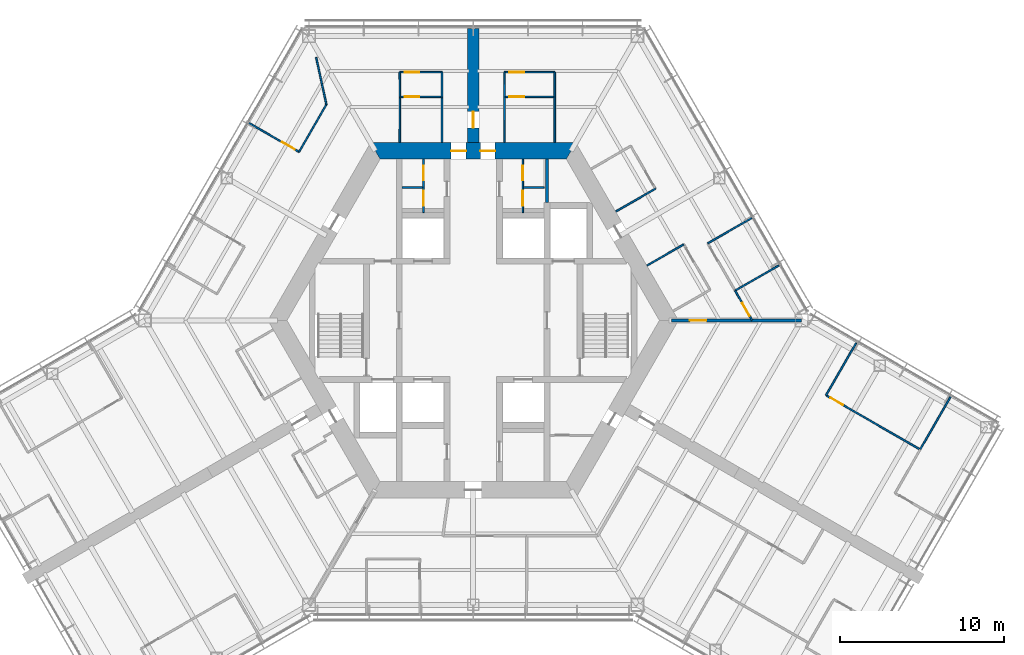
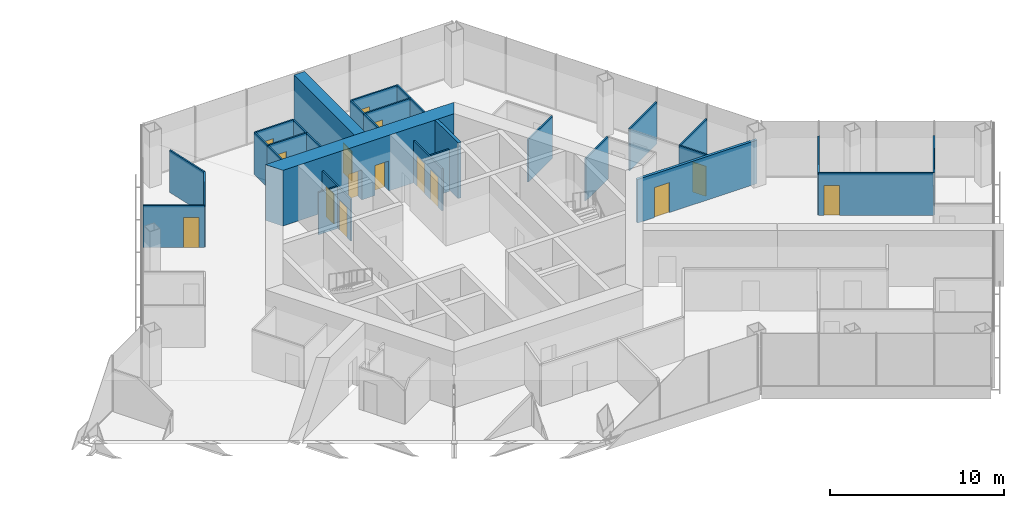
# One storey, part 14 of 18: 31 walls, 15 doors, 15 openings.
"""IFC4 building model written with IfcOpenShell, lengths in metres."""

from ifc_helpers import new_model, si_unit, direction, frame, frame_2d, origin, place, context, subcontext, project, spatial, polyline, rectangle, outline, extrude, material, layer, layer_set, type_object, element, fill, save


model = new_model("IFC4")

# Units and contexts
model_context = context("Model", 3, precision=1e-05, world=origin(), true_north=direction((0.0, 1.0)))
body_context = subcontext(model_context, "Body", "Model", "MODEL_VIEW")
ifc_project = project(units=[si_unit("LENGTHUNIT", "METRE"), si_unit("AREAUNIT", "SQUARE_METRE"), si_unit("VOLUMEUNIT", "CUBIC_METRE"), si_unit("PLANEANGLEUNIT", "RADIAN"), si_unit("MASSUNIT", "GRAM", prefix="KILO")], contexts=[model_context])

# Site, building, storey
site_placement = place(None, origin())
site = spatial("IfcSite", under=ifc_project, at=site_placement, CompositionType="ELEMENT")
building_placement = place(site_placement, origin())
building = spatial("IfcBuilding", under=site, at=building_placement, Name="Kasaneha Research Tower", CompositionType="ELEMENT")
storey_placement = place(building_placement, frame((0.0, 0.0, 172.10009765625)))
storey = spatial("IfcBuildingStorey", under=building, at=storey_placement, Name="L43", CompositionType="ELEMENT", Elevation=172.10009765625)

# Wall, openings, doors
ifc_material_1 = material(Name="Concrete Fc70", Category="concrete")
ifc_layer_1 = layer(ifc_material_1, 1.0)
ifc_layer_set_1 = layer_set([ifc_layer_1], Name="Core wall 1000 Fc70")
wall_type_1 = type_object("IfcWallType", Name="Core wall 1000 Fc70", PredefinedType="SHEAR", material=ifc_layer_set_1)
wall_1_placement = place(storey_placement, frame((5.961181640625, 10.324951171875, 0.0), z_axis=(0.0, 0.0, 1.0), x_axis=(-1.0, 0.0, 0.0)))
wall_1 = element("IfcWall", 1, at=wall_1_placement, inside=storey, type_object=wall_type_1, Name="Core wall 090 L43", PredefinedType="SHEAR", context=body_context, shape_type="SweptSolid", body=[
    extrude(outline(polyline([(-0.28857421875, -0.5), (4.62353515625, -0.5), (5.5234375, -0.5), (6.398681640625, -0.5), (7.298583984375, -0.5), (12.2109375, -0.5), (11.6337890625, 0.5), (7.298583984375, 0.5), (6.398681640625, 0.5), (5.5234375, 0.5), (4.62353515625, 0.5), (0.28857421875, 0.5), (-0.28857421875, -0.5)])), origin(), (0.0, 0.0, 1.0), 3.89990234375),
])
opening_1_placement = place(wall_1_placement, frame((6.398681640625, 0.0, 0.0)))
opening_1 = element("IfcOpeningElement", 2, at=opening_1_placement, cuts=wall_1, Name="Opening L43-D01", PredefinedType="OPENING", context=body_context, shape_type="SweptSolid", body=[
    extrude(rectangle(XDim=0.89990234375, YDim=2.10009765625, at=frame_2d((0.449951171875, 1.050048828125))), frame((0.0, 0.510009765625, 0.0), z_axis=(0.0, -1.0, 0.0), x_axis=(1.0, 0.0, 0.0)), (0.0, 0.0, 1.0), 1.02001953125),
])
opening_2_placement = place(wall_1_placement, frame((4.62353515625, 0.0, 0.0)))
opening_2 = element("IfcOpeningElement", 3, at=opening_2_placement, cuts=wall_1, Name="Opening L43-D02", PredefinedType="OPENING", context=body_context, shape_type="SweptSolid", body=[
    extrude(rectangle(XDim=0.89990234375, YDim=2.10009765625, at=frame_2d((0.449951171875, 1.050048828125))), frame((0.0, 0.510009765625, 0.0), z_axis=(0.0, -1.0, 0.0), x_axis=(1.0, 0.0, 0.0)), (0.0, 0.0, 1.0), 1.02001953125),
])
ifc_material_2 = material(Name="Steel", Category="steel")
door_type_1 = type_object("IfcDoorType", Name="Toilet door FD20 900x2100", OperationType="NOTDEFINED", PredefinedType="DOOR", material=ifc_material_2)
door_1_placement = place(opening_1_placement, origin())
door_1 = element("IfcDoor", 4, at=door_1_placement, inside=storey, type_object=door_type_1, Name="Core door north 1 L43-D01", OperationType="SINGLE_SWING_RIGHT", OverallHeight=2.10009765625, OverallWidth=0.89990234375, PredefinedType="DOOR", context=body_context, shape_type="SweptSolid", body=[
    extrude(rectangle(XDim=0.89990234375, YDim=2.10009765625, at=frame_2d((0.449951171875, 1.050048828125))), frame((0.0, 0.02490234375, 0.0), z_axis=(0.0, -1.0, 0.0), x_axis=(1.0, 0.0, 0.0)), (0.0, 0.0, 1.0), 0.050048828125),
])
fill(opening_1, door_1)
door_2_placement = place(opening_2_placement, origin())
door_2 = element("IfcDoor", 5, at=door_2_placement, inside=storey, type_object=door_type_1, Name="Core door north 2 L43-D02", OperationType="SINGLE_SWING_LEFT", OverallHeight=2.10009765625, OverallWidth=0.89990234375, PredefinedType="DOOR", context=body_context, shape_type="SweptSolid", body=[
    extrude(rectangle(XDim=0.89990234375, YDim=2.10009765625, at=frame_2d((0.449951171875, 1.050048828125))), frame((0.0, 0.02490234375, 0.0), z_axis=(0.0, -1.0, 0.0), x_axis=(1.0, 0.0, 0.0)), (0.0, 0.0, 1.0), 0.050048828125),
])
fill(opening_2, door_2)

ifc_material_3 = material(Name="Gypsum board on steel studs, one layer each side", Category="steel")
ifc_layer_2 = layer(ifc_material_3, 0.10009765625)
ifc_layer_set_2 = layer_set([ifc_layer_2], Name="Office partition 100")
wall_type_2 = type_object("IfcWallType", Name="Office partition 100", PredefinedType="PARTITIONING", material=ifc_layer_set_2)
wall_2_placement = place(storey_placement, frame((-3.02490234375, 6.574951171875, 0.0), z_axis=(0.0, 0.0, 1.0), x_axis=(0.0, 1.0, 0.0)))
wall_2 = element("IfcWall", 6, at=wall_2_placement, inside=storey, type_object=wall_type_2, Name="Office partition TBM1 L43", PredefinedType="PARTITIONING", context=body_context, shape_type="SweptSolid", body=[
    extrude(rectangle(XDim=3.25, YDim=0.10009765625, at=frame_2d((1.625, 0.0))), origin(), (0.0, 0.0, 1.0), 2.949951171875),
])
opening_3_placement = place(wall_2_placement, frame((1.96240234375, 0.0, 0.0)))
opening_3 = element("IfcOpeningElement", 7, at=opening_3_placement, cuts=wall_2, Name="Opening L43-D20", PredefinedType="OPENING", context=body_context, shape_type="SweptSolid", body=[
    extrude(rectangle(XDim=0.89990234375, YDim=2.10009765625, at=frame_2d((0.449951171875, 1.050048828125))), frame((0.0, 0.06005859375, 0.0), z_axis=(0.0, -1.0, 0.0), x_axis=(1.0, 0.0, 0.0)), (0.0, 0.0, 1.0), 0.1201171875),
])
opening_4_placement = place(wall_2_placement, frame((0.41259765625, 0.0, 0.0)))
opening_4 = element("IfcOpeningElement", 8, at=opening_4_placement, cuts=wall_2, Name="Opening L43-D21", PredefinedType="OPENING", context=body_context, shape_type="SweptSolid", body=[
    extrude(rectangle(XDim=0.89990234375, YDim=2.10009765625, at=frame_2d((0.449951171875, 1.050048828125))), frame((0.0, 0.06005859375, 0.0), z_axis=(0.0, -1.0, 0.0), x_axis=(1.0, 0.0, 0.0)), (0.0, 0.0, 1.0), 0.1201171875),
])
ifc_material_4 = material(Name="Steel", Category="steel")
door_type_2 = type_object("IfcDoorType", Name="Toilet lobby door FD30 900x2100", OperationType="NOTDEFINED", PredefinedType="DOOR", material=ifc_material_4)
door_3_placement = place(opening_3_placement, origin())
door_3 = element("IfcDoor", 9, at=door_3_placement, inside=storey, type_object=door_type_2, Name="Men's WC door L43-D20", OperationType="SINGLE_SWING_RIGHT", OverallHeight=2.10009765625, OverallWidth=0.89990234375, PredefinedType="DOOR", context=body_context, shape_type="SweptSolid", body=[
    extrude(rectangle(XDim=0.89990234375, YDim=2.10009765625, at=frame_2d((0.449951171875, 1.050048828125))), frame((0.0, 0.02490234375, 0.0), z_axis=(0.0, -1.0, 0.0), x_axis=(1.0, 0.0, 0.0)), (0.0, 0.0, 1.0), 0.050048828125),
])
fill(opening_3, door_3)
door_4_placement = place(opening_4_placement, origin())
door_4 = element("IfcDoor", 10, at=door_4_placement, inside=storey, type_object=door_type_2, Name="Staff WC door L43-D21", OperationType="SINGLE_SWING_RIGHT", OverallHeight=2.10009765625, OverallWidth=0.89990234375, PredefinedType="DOOR", context=body_context, shape_type="SweptSolid", body=[
    extrude(rectangle(XDim=0.89990234375, YDim=2.10009765625, at=frame_2d((0.449951171875, 1.050048828125))), frame((0.0, 0.02490234375, 0.0), z_axis=(0.0, -1.0, 0.0), x_axis=(1.0, 0.0, 0.0)), (0.0, 0.0, 1.0), 0.050048828125),
])
fill(opening_4, door_4)

# Wall
wall_3_placement = place(storey_placement, frame((-3.074951171875, 8.10009765625, 0.0), z_axis=(0.0, 0.0, 1.0), x_axis=(-1.0, 0.0, 0.0)))
element("IfcWall", 11, at=wall_3_placement, inside=storey, type_object=wall_type_2, Name="Office partition TBM2 L43", PredefinedType="PARTITIONING", context=body_context, shape_type="SweptSolid", body=[
    extrude(rectangle(XDim=1.25, YDim=0.10009765625, at=frame_2d((0.625, 0.0))), origin(), (0.0, 0.0, 1.0), 2.949951171875),
])

# Wall, openings, doors
wall_4_placement = place(storey_placement, frame((3.02490234375, 6.574951171875, 0.0), z_axis=(0.0, 0.0, 1.0), x_axis=(0.0, 1.0, 0.0)))
wall_4 = element("IfcWall", 12, at=wall_4_placement, inside=storey, type_object=wall_type_2, Name="Office partition TBF1 L43", PredefinedType="PARTITIONING", context=body_context, shape_type="SweptSolid", body=[
    extrude(rectangle(XDim=3.25, YDim=0.10009765625, at=frame_2d((1.625, 0.0))), origin(), (0.0, 0.0, 1.0), 2.949951171875),
])
opening_5_placement = place(wall_4_placement, frame((1.96240234375, 0.0, 0.0)))
opening_5 = element("IfcOpeningElement", 13, at=opening_5_placement, cuts=wall_4, Name="Opening L43-D22", PredefinedType="OPENING", context=body_context, shape_type="SweptSolid", body=[
    extrude(rectangle(XDim=0.89990234375, YDim=2.10009765625, at=frame_2d((0.449951171875, 1.050048828125))), frame((0.0, 0.06005859375, 0.0), z_axis=(0.0, -1.0, 0.0), x_axis=(1.0, 0.0, 0.0)), (0.0, 0.0, 1.0), 0.1201171875),
])
opening_6_placement = place(wall_4_placement, frame((0.41259765625, 0.0, 0.0)))
opening_6 = element("IfcOpeningElement", 14, at=opening_6_placement, cuts=wall_4, Name="Opening L43-D23", PredefinedType="OPENING", context=body_context, shape_type="SweptSolid", body=[
    extrude(rectangle(XDim=0.89990234375, YDim=2.10009765625, at=frame_2d((0.449951171875, 1.050048828125))), frame((0.0, 0.06005859375, 0.0), z_axis=(0.0, -1.0, 0.0), x_axis=(1.0, 0.0, 0.0)), (0.0, 0.0, 1.0), 0.1201171875),
])
door_5_placement = place(opening_5_placement, origin())
door_5 = element("IfcDoor", 15, at=door_5_placement, inside=storey, type_object=door_type_2, Name="Women's WC door L43-D22", OperationType="SINGLE_SWING_RIGHT", OverallHeight=2.10009765625, OverallWidth=0.89990234375, PredefinedType="DOOR", context=body_context, shape_type="SweptSolid", body=[
    extrude(rectangle(XDim=0.89990234375, YDim=2.10009765625, at=frame_2d((0.449951171875, 1.050048828125))), frame((0.0, 0.02490234375, 0.0), z_axis=(0.0, -1.0, 0.0), x_axis=(1.0, 0.0, 0.0)), (0.0, 0.0, 1.0), 0.050048828125),
])
fill(opening_5, door_5)
door_6_placement = place(opening_6_placement, origin())
door_6 = element("IfcDoor", 16, at=door_6_placement, inside=storey, type_object=door_type_2, Name="Cleaner's store door L43-D23", OperationType="SINGLE_SWING_RIGHT", OverallHeight=2.10009765625, OverallWidth=0.89990234375, PredefinedType="DOOR", context=body_context, shape_type="SweptSolid", body=[
    extrude(rectangle(XDim=0.89990234375, YDim=2.10009765625, at=frame_2d((0.449951171875, 1.050048828125))), frame((0.0, 0.02490234375, 0.0), z_axis=(0.0, -1.0, 0.0), x_axis=(1.0, 0.0, 0.0)), (0.0, 0.0, 1.0), 0.050048828125),
])
fill(opening_6, door_6)

# Wall
wall_5_placement = place(storey_placement, frame((3.074951171875, 8.10009765625, 0.0), z_axis=(0.0, 0.0, 1.0), x_axis=(1.0, 0.0, 0.0)))
element("IfcWall", 17, at=wall_5_placement, inside=storey, type_object=wall_type_2, Name="Office partition TBF2 L43", PredefinedType="PARTITIONING", context=body_context, shape_type="SweptSolid", body=[
    extrude(rectangle(XDim=1.25, YDim=0.10009765625, at=frame_2d((0.625, 0.0))), origin(), (0.0, 0.0, 1.0), 2.949951171875),
])

# Wall, opening, door
wall_6_placement = place(storey_placement, frame((1.89990234375, 13.6201171875, 0.0), z_axis=(0.0, 0.0, 1.0), x_axis=(1.0, 0.0, 0.0)))
wall_6 = element("IfcWall", 18, at=wall_6_placement, inside=storey, type_object=wall_type_2, Name="Office partition FAE01 L43", PredefinedType="PARTITIONING", context=body_context, shape_type="SweptSolid", body=[
    extrude(rectangle(XDim=3.071044921875, YDim=0.10009765625, at=frame_2d((1.53564453125, 0.0))), origin(), (0.0, 0.0, 1.0), 2.949951171875),
])
opening_7_placement = place(wall_6_placement, frame((0.300048828125, 0.0, 0.0)))
opening_7 = element("IfcOpeningElement", 19, at=opening_7_placement, cuts=wall_6, Name="Opening L43-D27", PredefinedType="OPENING", context=body_context, shape_type="SweptSolid", body=[
    extrude(rectangle(XDim=0.89990234375, YDim=2.10009765625, at=frame_2d((0.449951171875, 1.050048828125))), frame((0.0, 0.06005859375, 0.0), z_axis=(0.0, -1.0, 0.0), x_axis=(1.0, 0.0, 0.0)), (0.0, 0.0, 1.0), 0.1201171875),
])
door_7_placement = place(opening_7_placement, origin())
door_7 = element("IfcDoor", 20, at=door_7_placement, inside=storey, type_object=door_type_2, Name="Women's WC door L43-D27", OperationType="SINGLE_SWING_LEFT", OverallHeight=2.10009765625, OverallWidth=0.89990234375, PredefinedType="DOOR", context=body_context, shape_type="SweptSolid", body=[
    extrude(rectangle(XDim=0.89990234375, YDim=2.10009765625, at=frame_2d((0.449951171875, 1.050048828125))), frame((0.0, 0.02490234375, 0.0), z_axis=(0.0, -1.0, 0.0), x_axis=(1.0, 0.0, 0.0)), (0.0, 0.0, 1.0), 0.050048828125),
])
fill(opening_7, door_7)

# Walls
for number, where, z_axis, x_axis, name in (
    (21, (1.89990234375, 10.844970703125, 0.0), (0.0, 0.0, 1.0), (0.001668567099, 0.999998607941, 0.0), "Office partition FAE02 L43"),
    (22, (4.96630859375, 13.625, 0.0), (0.0, 0.0, 1.0), (0.001668567099, -0.999998607941, 0.0), "Office partition FAE03 L43"),
):
    element("IfcWall", number, at=place(storey_placement, frame(where, z_axis=z_axis, x_axis=x_axis)), inside=storey, type_object=wall_type_2, Name=name, PredefinedType="PARTITIONING", context=body_context, shape_type="SweptSolid", body=[
        extrude(rectangle(XDim=2.780029296875, YDim=0.10009765625, at=frame_2d((1.39013671875, 0.0))), origin(), (0.0, 0.0, 1.0), 2.949951171875),
    ])

# Wall, opening, door
wall_7_placement = place(storey_placement, frame((1.89990234375, 15.125, 0.0), z_axis=(0.0, 0.0, 1.0), x_axis=(1.0, 0.0, 0.0)))
wall_7 = element("IfcWall", 23, at=wall_7_placement, inside=storey, type_object=wall_type_2, Name="Office partition FAE04 L43", PredefinedType="PARTITIONING", context=body_context, shape_type="SweptSolid", body=[
    extrude(rectangle(XDim=3.071044921875, YDim=0.10009765625, at=frame_2d((1.53564453125, 0.0))), origin(), (0.0, 0.0, 1.0), 2.949951171875),
])
opening_8_placement = place(wall_7_placement, frame((0.300048828125, 0.0, 0.0)))
opening_8 = element("IfcOpeningElement", 24, at=opening_8_placement, cuts=wall_7, Name="Opening L43-D28", PredefinedType="OPENING", context=body_context, shape_type="SweptSolid", body=[
    extrude(rectangle(XDim=0.89990234375, YDim=2.10009765625, at=frame_2d((0.449951171875, 1.050048828125))), frame((0.0, 0.06005859375, 0.0), z_axis=(0.0, -1.0, 0.0), x_axis=(1.0, 0.0, 0.0)), (0.0, 0.0, 1.0), 0.1201171875),
])
door_8_placement = place(opening_8_placement, origin())
door_8 = element("IfcDoor", 25, at=door_8_placement, inside=storey, type_object=door_type_2, Name="Toilet lobby door L43-D28", OperationType="SINGLE_SWING_LEFT", OverallHeight=2.10009765625, OverallWidth=0.89990234375, PredefinedType="DOOR", context=body_context, shape_type="SweptSolid", body=[
    extrude(rectangle(XDim=0.89990234375, YDim=2.10009765625, at=frame_2d((0.449951171875, 1.050048828125))), frame((0.0, 0.02490234375, 0.0), z_axis=(0.0, -1.0, 0.0), x_axis=(1.0, 0.0, 0.0)), (0.0, 0.0, 1.0), 0.050048828125),
])
fill(opening_8, door_8)

# Walls
for number, where, z_axis, x_axis, name in (
    (26, (1.904541015625, 13.625, 0.0), (0.0, 0.0, 1.0), (-0.00309243313, 0.999995218417, 0.0), "Office partition FAE05 L43"),
    (27, (4.970947265625, 15.125, 0.0), (0.0, 0.0, 1.0), (-0.00309243313, -0.999995218417, 0.0), "Office partition FAE06 L43"),
):
    element("IfcWall", number, at=place(storey_placement, frame(where, z_axis=z_axis, x_axis=x_axis)), inside=storey, type_object=wall_type_2, Name=name, PredefinedType="PARTITIONING", context=body_context, shape_type="SweptSolid", body=[
        extrude(rectangle(XDim=1.5, YDim=0.10009765625, at=frame_2d((0.75, 0.0))), origin(), (0.0, 0.0, 1.0), 2.949951171875),
    ])
wall_8_placement = place(storey_placement, frame((11.099609375, 8.02490234375, 0.0), z_axis=(0.0, 0.0, 1.0), x_axis=(-0.866056901187, -0.49994544093, 0.0)))
element("IfcWall", 28, at=wall_8_placement, inside=storey, type_object=wall_type_2, Name="Office partition FAE09 L43", PredefinedType="PARTITIONING", context=body_context, shape_type="SweptSolid", body=[
    extrude(rectangle(XDim=2.780029296875, YDim=0.10009765625, at=frame_2d((1.39013671875, 0.0))), origin(), (0.0, 0.0, 1.0), 2.949951171875),
])
wall_9_placement = place(storey_placement, frame((10.592041015625, 3.343994140625, 0.0), z_axis=(0.0, 0.0, 1.0), x_axis=(0.866021702275, 0.500006411147, 0.0)))
element("IfcWall", 29, at=wall_9_placement, inside=storey, type_object=wall_type_2, Name="Office partition FAE10 L43", PredefinedType="PARTITIONING", context=body_context, shape_type="SweptSolid", body=[
    extrude(rectangle(XDim=2.580078125, YDim=0.10009765625, at=frame_2d((1.2900390625, 0.0))), origin(), (0.0, 0.0, 1.0), 2.949951171875),
])
wall_10_placement = place(storey_placement, frame((18.619873046875, 3.3505859375, 0.0), z_axis=(0.0, 0.0, 1.0), x_axis=(-0.866810383216, -0.498637904244, 0.0)))
element("IfcWall", 30, at=wall_10_placement, inside=storey, type_object=wall_type_2, Name="Office partition FAE13 L43", PredefinedType="PARTITIONING", context=body_context, shape_type="SweptSolid", body=[
    extrude(rectangle(XDim=3.080078125, YDim=0.10009765625, at=frame_2d((1.5400390625, 0.0))), origin(), (0.0, 0.0, 1.0), 2.949951171875),
])
wall_11_placement = place(storey_placement, frame((14.287109375, 4.6953125, 0.0), z_axis=(0.0, 0.0, 1.0), x_axis=(0.866023220135, 0.500003782172, 0.0)))
element("IfcWall", 31, at=wall_11_placement, inside=storey, type_object=wall_type_2, Name="Office partition FAE14 L43", PredefinedType="PARTITIONING", context=body_context, shape_type="SweptSolid", body=[
    extrude(rectangle(XDim=3.10498046875, YDim=0.10009765625, at=frame_2d((1.552490234375, 0.0))), origin(), (0.0, 0.0, 1.0), 2.949951171875),
])

# Wall, opening, door
wall_12_placement = place(storey_placement, frame((16.986083984375, 0.02001953125, 0.0), z_axis=(0.0, 0.0, 1.0), x_axis=(-0.498096123952, 0.867121820337, 0.0)))
wall_12 = element("IfcWall", 32, at=wall_12_placement, inside=storey, type_object=wall_type_2, Name="Office partition FAE16 L43", PredefinedType="PARTITIONING", context=body_context, shape_type="SweptSolid", body=[
    extrude(rectangle(XDim=2.0673828125, YDim=0.10009765625, at=frame_2d((1.03369140625, 0.0))), origin(), (0.0, 0.0, 1.0), 2.949951171875),
])
opening_9_placement = place(wall_12_placement, frame((0.300048828125, 0.0, 0.0)))
opening_9 = element("IfcOpeningElement", 33, at=opening_9_placement, cuts=wall_12, Name="Opening L43-D32", PredefinedType="OPENING", context=body_context, shape_type="SweptSolid", body=[
    extrude(rectangle(XDim=0.89990234375, YDim=2.10009765625, at=frame_2d((0.449951171875, 1.050048828125))), frame((0.0, 0.06005859375, 0.0), z_axis=(0.0, -1.0, 0.0), x_axis=(1.0, 0.0, 0.0)), (0.0, 0.0, 1.0), 0.1201171875),
])
ifc_material_5 = material(Name="Timber veneer", Category="wood")
door_type_3 = type_object("IfcDoorType", Name="Office door 900x2100", OperationType="SINGLE_SWING_LEFT", PredefinedType="DOOR", material=ifc_material_5)
door_9_placement = place(opening_9_placement, origin())
door_9 = element("IfcDoor", 34, at=door_9_placement, inside=storey, type_object=door_type_3, Name="Phone room door L43-D32", OperationType="SINGLE_SWING_LEFT", OverallHeight=2.10009765625, OverallWidth=0.89990234375, PredefinedType="DOOR", context=body_context, shape_type="SweptSolid", body=[
    extrude(rectangle(XDim=0.89990234375, YDim=2.10009765625, at=frame_2d((0.449951171875, 1.050048828125))), frame((0.0, 0.02490234375, 0.0), z_axis=(0.0, -1.0, 0.0), x_axis=(1.0, 0.0, 0.0)), (0.0, 0.0, 1.0), 0.050048828125),
])
fill(opening_9, door_9)

wall_13_placement = place(storey_placement, frame((-4.470947265625, 13.6201171875, 0.0), z_axis=(0.0, 0.0, 1.0), x_axis=(1.0, 0.0, 0.0)))
wall_13 = element("IfcWall", 35, at=wall_13_placement, inside=storey, type_object=wall_type_2, Name="Office partition FAW01 L43", PredefinedType="PARTITIONING", context=body_context, shape_type="SweptSolid", body=[
    extrude(rectangle(XDim=2.571044921875, YDim=0.10009765625, at=frame_2d((1.28564453125, 0.0))), origin(), (0.0, 0.0, 1.0), 2.949951171875),
])
opening_10_placement = place(wall_13_placement, frame((0.300048828125, 0.0, 0.0)))
opening_10 = element("IfcOpeningElement", 36, at=opening_10_placement, cuts=wall_13, Name="Opening L43-D33", PredefinedType="OPENING", context=body_context, shape_type="SweptSolid", body=[
    extrude(rectangle(XDim=0.89990234375, YDim=2.10009765625, at=frame_2d((0.449951171875, 1.050048828125))), frame((0.0, 0.06005859375, 0.0), z_axis=(0.0, -1.0, 0.0), x_axis=(1.0, 0.0, 0.0)), (0.0, 0.0, 1.0), 0.1201171875),
])
door_10_placement = place(opening_10_placement, origin())
door_10 = element("IfcDoor", 37, at=door_10_placement, inside=storey, type_object=door_type_2, Name="Men's WC door L43-D33", OperationType="SINGLE_SWING_LEFT", OverallHeight=2.10009765625, OverallWidth=0.89990234375, PredefinedType="DOOR", context=body_context, shape_type="SweptSolid", body=[
    extrude(rectangle(XDim=0.89990234375, YDim=2.10009765625, at=frame_2d((0.449951171875, 1.050048828125))), frame((0.0, 0.02490234375, 0.0), z_axis=(0.0, -1.0, 0.0), x_axis=(1.0, 0.0, 0.0)), (0.0, 0.0, 1.0), 0.050048828125),
])
fill(opening_10, door_10)

# Walls
for number, where, z_axis, x_axis, name in (
    (38, (-4.470947265625, 10.844970703125, 0.0), (0.0, 0.0, 1.0), (0.001668567099, 0.999998607941, 0.0), "Office partition FAW02 L43"),
    (39, (-1.90478515625, 13.625, 0.0), (0.0, 0.0, 1.0), (0.001756386155, -0.999998457553, 0.0), "Office partition FAW03 L43"),
):
    element("IfcWall", number, at=place(storey_placement, frame(where, z_axis=z_axis, x_axis=x_axis)), inside=storey, type_object=wall_type_2, Name=name, PredefinedType="PARTITIONING", context=body_context, shape_type="SweptSolid", body=[
        extrude(rectangle(XDim=2.780029296875, YDim=0.10009765625, at=frame_2d((1.39013671875, 0.0))), origin(), (0.0, 0.0, 1.0), 2.949951171875),
    ])

# Wall, opening, door
wall_14_placement = place(storey_placement, frame((-4.470947265625, 15.125, 0.0), z_axis=(0.0, 0.0, 1.0), x_axis=(1.0, 0.0, 0.0)))
wall_14 = element("IfcWall", 40, at=wall_14_placement, inside=storey, type_object=wall_type_2, Name="Office partition FAW04 L43", PredefinedType="PARTITIONING", context=body_context, shape_type="SweptSolid", body=[
    extrude(rectangle(XDim=2.571044921875, YDim=0.10009765625, at=frame_2d((1.28564453125, 0.0))), origin(), (0.0, 0.0, 1.0), 2.949951171875),
])
opening_11_placement = place(wall_14_placement, frame((0.300048828125, 0.0, 0.0)))
opening_11 = element("IfcOpeningElement", 41, at=opening_11_placement, cuts=wall_14, Name="Opening L43-D34", PredefinedType="OPENING", context=body_context, shape_type="SweptSolid", body=[
    extrude(rectangle(XDim=0.89990234375, YDim=2.10009765625, at=frame_2d((0.449951171875, 1.050048828125))), frame((0.0, 0.06005859375, 0.0), z_axis=(0.0, -1.0, 0.0), x_axis=(1.0, 0.0, 0.0)), (0.0, 0.0, 1.0), 0.1201171875),
])
door_11_placement = place(opening_11_placement, origin())
door_11 = element("IfcDoor", 42, at=door_11_placement, inside=storey, type_object=door_type_2, Name="Toilet lobby door L43-D34", OperationType="SINGLE_SWING_LEFT", OverallHeight=2.10009765625, OverallWidth=0.89990234375, PredefinedType="DOOR", context=body_context, shape_type="SweptSolid", body=[
    extrude(rectangle(XDim=0.89990234375, YDim=2.10009765625, at=frame_2d((0.449951171875, 1.050048828125))), frame((0.0, 0.02490234375, 0.0), z_axis=(0.0, -1.0, 0.0), x_axis=(1.0, 0.0, 0.0)), (0.0, 0.0, 1.0), 0.050048828125),
])
fill(opening_11, door_11)

# Walls
for number, where, z_axis, x_axis, name in (
    (43, (-4.46630859375, 13.625, 0.0), (0.0, 0.0, 1.0), (-0.00309243313, 0.999995218417, 0.0), "Office partition FAW05 L43"),
    (44, (-1.89990234375, 15.125, 0.0), (0.0, 0.0, 1.0), (-0.003255191087, -0.999994701851, 0.0), "Office partition FAW06 L43"),
):
    element("IfcWall", number, at=place(storey_placement, frame(where, z_axis=z_axis, x_axis=x_axis)), inside=storey, type_object=wall_type_2, Name=name, PredefinedType="PARTITIONING", context=body_context, shape_type="SweptSolid", body=[
        extrude(rectangle(XDim=1.5, YDim=0.10009765625, at=frame_2d((0.75, 0.0))), origin(), (0.0, 0.0, 1.0), 2.949951171875),
    ])

# Wall, opening, door
wall_15_placement = place(storey_placement, frame((-10.609619140625, 10.264404296875, 0.0), z_axis=(0.0, 0.0, 1.0), x_axis=(-0.86601282795, 0.500021781351, 0.0)))
wall_15 = element("IfcWall", 45, at=wall_15_placement, inside=storey, type_object=wall_type_2, Name="Office partition FBN01 L43", PredefinedType="PARTITIONING", context=body_context, shape_type="SweptSolid", body=[
    extrude(rectangle(XDim=3.530029296875, YDim=0.10009765625, at=frame_2d((1.76513671875, 0.0))), origin(), (0.0, 0.0, 1.0), 2.949951171875),
])
opening_12_placement = place(wall_15_placement, frame((0.300048828125, 0.0, 0.0)))
opening_12 = element("IfcOpeningElement", 46, at=opening_12_placement, cuts=wall_15, Name="Opening L43-D35", PredefinedType="OPENING", context=body_context, shape_type="SweptSolid", body=[
    extrude(rectangle(XDim=0.89990234375, YDim=2.10009765625, at=frame_2d((0.449951171875, 1.050048828125))), frame((0.0, 0.06005859375, 0.0), z_axis=(0.0, -1.0, 0.0), x_axis=(1.0, 0.0, 0.0)), (0.0, 0.0, 1.0), 0.1201171875),
])
door_12_placement = place(opening_12_placement, origin())
door_12 = element("IfcDoor", 47, at=door_12_placement, inside=storey, type_object=door_type_3, Name="Reception room door L43-D35", OperationType="SINGLE_SWING_LEFT", OverallHeight=2.10009765625, OverallWidth=0.89990234375, PredefinedType="DOOR", context=body_context, shape_type="SweptSolid", body=[
    extrude(rectangle(XDim=0.89990234375, YDim=2.10009765625, at=frame_2d((0.449951171875, 1.050048828125))), frame((0.0, 0.02490234375, 0.0), z_axis=(0.0, -1.0, 0.0), x_axis=(1.0, 0.0, 0.0)), (0.0, 0.0, 1.0), 0.050048828125),
])
fill(opening_12, door_12)

# Walls
wall_16_placement = place(storey_placement, frame((-9.56396484375, 16.02392578125, 0.0), z_axis=(0.0, 0.0, 1.0), x_axis=(0.211116290139, -0.977460951669, 0.0)))
element("IfcWall", 48, at=wall_16_placement, inside=storey, type_object=wall_type_2, Name="Office partition FBN02 L43", PredefinedType="PARTITIONING", context=body_context, shape_type="SweptSolid", body=[
    extrude(rectangle(XDim=2.940673828125, YDim=0.10009765625, at=frame_2d((1.47021484375, 0.0))), origin(), (0.0, 0.0, 1.0), 2.949951171875),
])
wall_17_placement = place(storey_placement, frame((-8.943115234375, 13.1494140625, 0.0), z_axis=(0.0, 0.0, 1.0), x_axis=(-0.500189695295, -0.86591585545, 0.0)))
element("IfcWall", 49, at=wall_17_placement, inside=storey, type_object=wall_type_2, Name="Office partition FBN03 L43", PredefinedType="PARTITIONING", context=body_context, shape_type="SweptSolid", body=[
    extrude(rectangle(XDim=3.331787109375, YDim=0.10009765625, at=frame_2d((1.666015625, 0.0))), origin(), (0.0, 0.0, 1.0), 2.949951171875),
])
wall_18_placement = place(storey_placement, frame((29.077392578125, -4.65771484375, 0.0), z_axis=(0.0, 0.0, 1.0), x_axis=(-0.501275229052, -0.865287897026, 0.0)))
element("IfcWall", 50, at=wall_18_placement, inside=storey, type_object=wall_type_2, Name="Office partition FCE01 L43", PredefinedType="PARTITIONING", context=body_context, shape_type="SweptSolid", body=[
    extrude(rectangle(XDim=3.704833984375, YDim=0.10009765625, at=frame_2d((1.8525390625, 0.0))), origin(), (0.0, 0.0, 1.0), 2.949951171875),
])
wall_19_placement = place(storey_placement, frame((21.4921875, -4.556640625, 0.0), z_axis=(0.0, 0.0, 1.0), x_axis=(0.500013413428, 0.866017659399, 0.0)))
element("IfcWall", 51, at=wall_19_placement, inside=storey, type_object=wall_type_2, Name="Office partition FCE02 L43", PredefinedType="PARTITIONING", context=body_context, shape_type="SweptSolid", body=[
    extrude(rectangle(XDim=3.68017578125, YDim=0.10009765625, at=frame_2d((1.840087890625, 0.0))), origin(), (0.0, 0.0, 1.0), 2.949951171875),
])

# Wall, opening, door
wall_20_placement = place(storey_placement, frame((27.22705078125, -7.86279296875, 0.0), z_axis=(0.0, 0.0, 1.0), x_axis=(-0.866343956507, 0.499447844147, 0.0)))
wall_20 = element("IfcWall", 52, at=wall_20_placement, inside=storey, type_object=wall_type_2, Name="Office partition FCE03 L43", PredefinedType="PARTITIONING", context=body_context, shape_type="SweptSolid", body=[
    extrude(rectangle(XDim=6.61962890625, YDim=0.10009765625, at=frame_2d((3.309814453125, 0.0))), origin(), (0.0, 0.0, 1.0), 2.949951171875),
])
opening_13_placement = place(wall_20_placement, frame((5.419677734375, 0.0, 0.0)))
opening_13 = element("IfcOpeningElement", 53, at=opening_13_placement, cuts=wall_20, Name="Opening L43-D42", PredefinedType="OPENING", context=body_context, shape_type="SweptSolid", body=[
    extrude(rectangle(XDim=0.89990234375, YDim=2.10009765625, at=frame_2d((0.449951171875, 1.050048828125))), frame((0.0, 0.06005859375, 0.0), z_axis=(0.0, -1.0, 0.0), x_axis=(1.0, 0.0, 0.0)), (0.0, 0.0, 1.0), 0.1201171875),
])
door_13_placement = place(opening_13_placement, origin())
door_13 = element("IfcDoor", 54, at=door_13_placement, inside=storey, type_object=door_type_3, Name="Project room door L43-D42", OperationType="SINGLE_SWING_RIGHT", OverallHeight=2.10009765625, OverallWidth=0.89990234375, PredefinedType="DOOR", context=body_context, shape_type="SweptSolid", body=[
    extrude(rectangle(XDim=0.89990234375, YDim=2.10009765625, at=frame_2d((0.449951171875, 1.050048828125))), frame((0.0, 0.02490234375, 0.0), z_axis=(0.0, -1.0, 0.0), x_axis=(1.0, 0.0, 0.0)), (0.0, 0.0, 1.0), 0.050048828125),
])
fill(opening_13, door_13)

# Wall
ifc_material_6 = material(Name="Concrete block", Category="concrete")
ifc_layer_3 = layer(ifc_material_6, 0.199951171875)
ifc_layer_set_3 = layer_set([ifc_layer_3], Name="Riser enclosure wall 200")
wall_type_3 = type_object("IfcWallType", Name="Riser enclosure wall 200", PredefinedType="STANDARD", material=ifc_layer_set_3)
wall_21_placement = place(storey_placement, frame((4.5, 7.175048828125, 0.0), z_axis=(0.0, 0.0, 1.0), x_axis=(0.0, 1.0, 0.0)))
element("IfcWall", 55, at=wall_21_placement, inside=storey, type_object=wall_type_3, Name="Riser enclosure wall L43", PredefinedType="STANDARD", context=body_context, shape_type="SweptSolid", body=[
    extrude(rectangle(XDim=2.64990234375, YDim=0.199951171875, at=frame_2d((1.324951171875, 0.0))), origin(), (0.0, 0.0, 1.0), 3.89990234375),
])

# Wall, opening, door
ifc_material_7 = material(Name="Concrete Fc70", Category="concrete")
ifc_layer_4 = layer(ifc_material_7, 0.699951171875)
ifc_layer_set_4 = layer_set([ifc_layer_4], Name="Spine wall 700 Fc70")
wall_type_4 = type_object("IfcWallType", Name="Spine wall 700 Fc70", PredefinedType="SHEAR", material=ifc_layer_set_4)
wall_22_placement = place(storey_placement, frame((0.0, 10.824951171875, 0.0), z_axis=(0.0, 0.0, 1.0), x_axis=(0.0, 1.0, 0.0)))
wall_22 = element("IfcWall", 56, at=wall_22_placement, inside=storey, type_object=wall_type_4, Name="Spine wall A L43", PredefinedType="SHEAR", context=body_context, shape_type="SweptSolid", body=[
    extrude(rectangle(XDim=6.945556640625, YDim=0.699951171875, at=frame_2d((3.47265625, 0.0))), origin(), (0.0, 0.0, 1.0), 3.89990234375),
])
opening_14_placement = place(wall_22_placement, frame((0.89990234375, 0.0, 0.0)))
opening_14 = element("IfcOpeningElement", 57, at=opening_14_placement, cuts=wall_22, Name="Opening L43-D17", PredefinedType="OPENING", context=body_context, shape_type="SweptSolid", body=[
    extrude(rectangle(XDim=1.0, YDim=2.10009765625, at=frame_2d((0.5, 1.050048828125))), frame((0.0, 0.35986328125, 0.0), z_axis=(0.0, -1.0, 0.0), x_axis=(1.0, 0.0, 0.0)), (0.0, 0.0, 1.0), 0.719970703125),
])
ifc_material_8 = material(Name="Steel", Category="steel")
door_type_4 = type_object("IfcDoorType", Name="Specified fire door FD60 1000x2100", OperationType="NOTDEFINED", PredefinedType="DOOR", material=ifc_material_8)
door_14_placement = place(opening_14_placement, origin())
door_14 = element("IfcDoor", 58, at=door_14_placement, inside=storey, type_object=door_type_4, Name="Spine doorway A L43-D17", OperationType="SINGLE_SWING_LEFT", OverallHeight=2.10009765625, OverallWidth=1.0, PredefinedType="DOOR", context=body_context, shape_type="SweptSolid", body=[
    extrude(rectangle(XDim=1.0, YDim=2.10009765625, at=frame_2d((0.5, 1.050048828125))), frame((0.0, 0.02490234375, 0.0), z_axis=(0.0, -1.0, 0.0), x_axis=(1.0, 0.0, 0.0)), (0.0, 0.0, 1.0), 0.050048828125),
])
fill(opening_14, door_14)

ifc_material_9 = material(Name="Gypsum board on steel studs, two layers each side", Category="steel")
ifc_layer_5 = layer(ifc_material_9, 0.175048828125)
ifc_layer_set_5 = layer_set([ifc_layer_5], Name="Tenancy fire partition 175")
wall_type_5 = type_object("IfcWallType", Name="Tenancy fire partition 175", PredefinedType="PARTITIONING", material=ifc_layer_set_5)
wall_23_placement = place(storey_placement, frame((12.069580078125, 0.0, 0.0), z_axis=(0.0, 0.0, 1.0), x_axis=(1.0, 0.0, 0.0)))
wall_23 = element("IfcWall", 59, at=wall_23_placement, inside=storey, type_object=wall_type_5, Name="Tenancy fire partition T000 L43", PredefinedType="PARTITIONING", context=body_context, shape_type="SweptSolid", body=[
    extrude(rectangle(XDim=7.930419921875, YDim=0.175048828125, at=frame_2d((3.96533203125, 0.0))), origin(), (0.0, 0.0, 1.0), 3.0498046875),
])
opening_15_placement = place(wall_23_placement, frame((1.1298828125, 0.0, 0.0)))
opening_15 = element("IfcOpeningElement", 60, at=opening_15_placement, cuts=wall_23, Name="Opening L43-D25", PredefinedType="OPENING", context=body_context, shape_type="SweptSolid", body=[
    extrude(rectangle(XDim=1.0, YDim=2.10009765625, at=frame_2d((0.5, 1.050048828125))), frame((0.0, 0.09765625, 0.0), z_axis=(0.0, -1.0, 0.0), x_axis=(1.0, 0.0, 0.0)), (0.0, 0.0, 1.0), 0.195068359375),
])
ifc_material_10 = material(Name="Steel", Category="steel")
door_type_5 = type_object("IfcDoorType", Name="Suite entrance door FD60 1000x2100", OperationType="NOTDEFINED", PredefinedType="DOOR", material=ifc_material_10)
door_15_placement = place(opening_15_placement, origin())
door_15 = element("IfcDoor", 61, at=door_15_placement, inside=storey, type_object=door_type_5, Name="Connecting door L43-D25", OperationType="SINGLE_SWING_LEFT", OverallHeight=2.10009765625, OverallWidth=1.0, PredefinedType="DOOR", context=body_context, shape_type="SweptSolid", body=[
    extrude(rectangle(XDim=1.0, YDim=2.10009765625, at=frame_2d((0.5, 1.050048828125))), frame((0.0, 0.02490234375, 0.0), z_axis=(0.0, -1.0, 0.0), x_axis=(1.0, 0.0, 0.0)), (0.0, 0.0, 1.0), 0.050048828125),
])
fill(opening_15, door_15)

save(model, "model.ifc")
